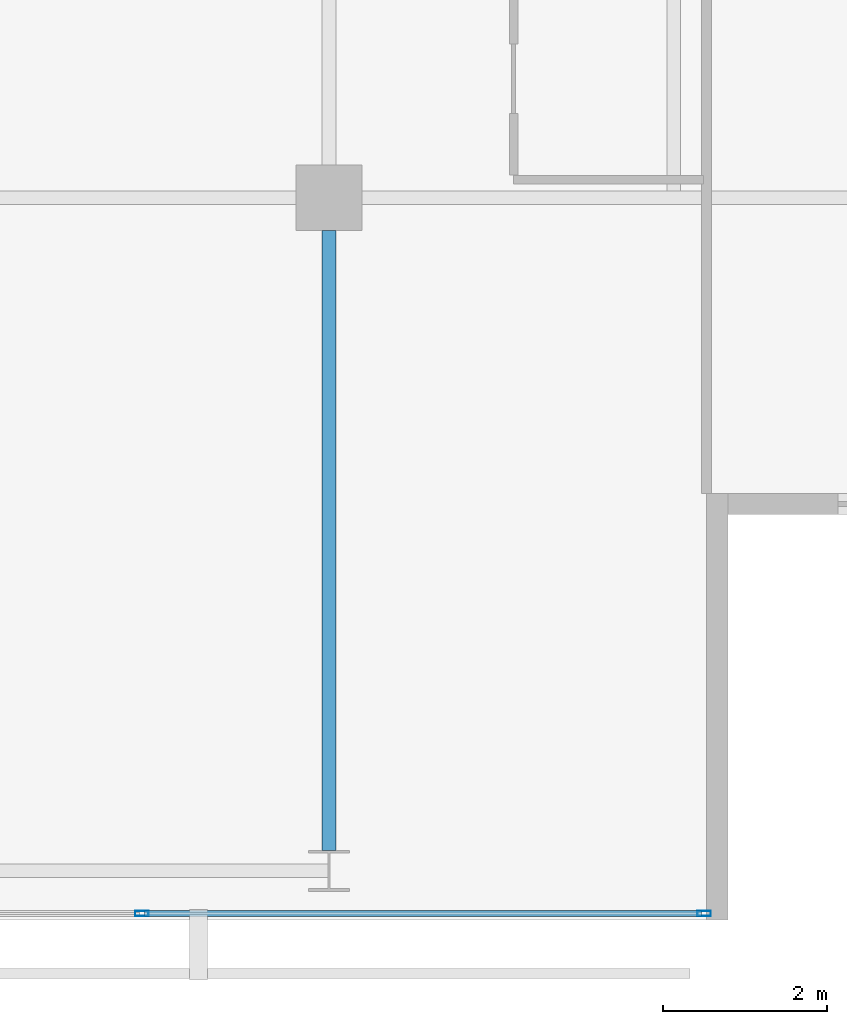
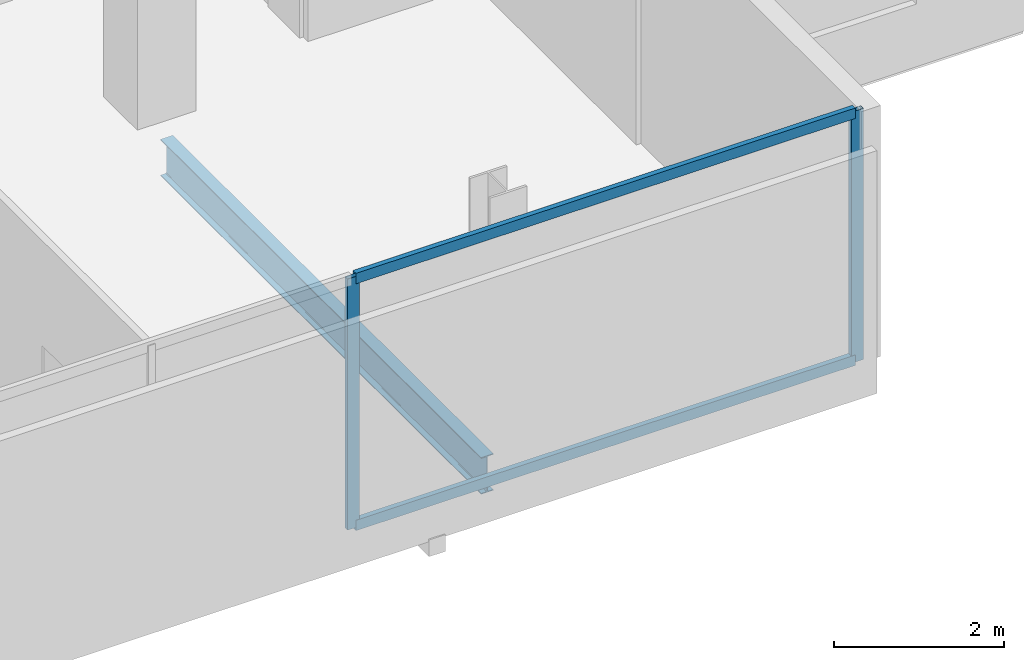
# One storey, part 10 of 25: 4 members, 1 beam, 1 element without a shape of its own.
"""IFC4 building model written with IfcOpenShell, lengths in metres."""

from ifc_helpers import new_model, si_unit, direction, frame, origin, origin_2d, place, context, subcontext, project, spatial, hollow_rectangle, i_section, extrude, material, layer, layer_set, material_profile, profile_set, type_object, element, aggregate, save


model = new_model("IFC4")

# Units and contexts
model_context = context("Model", 3, precision=1e-05, world=origin(), true_north=direction((0.0, 1.0)))
body_context = subcontext(model_context, "Body", "Model", "MODEL_VIEW")
ifc_project = project(units=[si_unit("LENGTHUNIT", "METRE"), si_unit("AREAUNIT", "SQUARE_METRE"), si_unit("VOLUMEUNIT", "CUBIC_METRE"), si_unit("PLANEANGLEUNIT", "RADIAN"), si_unit("MASSUNIT", "GRAM", prefix="KILO")], contexts=[model_context])

# Site, building, storey
site_placement = place(None, origin())
site = spatial("IfcSite", under=ifc_project, at=site_placement, CompositionType="ELEMENT")
building_placement = place(site_placement, origin())
building = spatial("IfcBuilding", under=site, at=building_placement, Name="Maruvema Waterfront Hotel and Observation Tower", CompositionType="ELEMENT")
storey_placement = place(building_placement, frame((0.0, 0.0, 277.89990234375)))
storey = spatial("IfcBuildingStorey", under=building, at=storey_placement, Name="L68", CompositionType="ELEMENT", Elevation=277.89990234375)

# Curtain wall, members
ifc_material_1 = material(Name="Anodised bronze aluminium and solar-control low-E IGU", Category="aluminium")
ifc_layer = layer(ifc_material_1, 0.159912109375, Name="Zone 3 Champagne Inner Thermal Curtain Wall System CW-04")
ifc_layer_set = layer_set([ifc_layer], Name="Anodised bronze aluminium and solar-control low-E IGU")
curtain_wall_type = type_object("IfcCurtainWallType", Name="Zone 3 Champagne Inner Thermal Curtain Wall System CW-04", PredefinedType="USERDEFINED", material=ifc_layer_set)
curtain_wall_placement = place(storey_placement, origin())
curtain_wall = element("IfcCurtainWall", 1, at=curtain_wall_placement, inside=storey, type_object=curtain_wall_type, Name="L68 Curtain Wall CW-L68-S", ObjectType="UNITISED CURTAIN WALL", PredefinedType="USERDEFINED")
ifc_material_2 = material(Name="Anodised architectural bronze aluminium", Category="aluminium")
ifc_material_profile_1 = material_profile(ifc_material_2, hollow_rectangle(XDim=0.070068359375, YDim=0.14990234375, WallThickness=0.00390625, at=origin_2d()), Name="ALU-T70x150")
ifc_profile_set_1 = profile_set([ifc_material_profile_1], Name="Anodised architectural bronze aluminium")
member_type_1 = type_object("IfcMemberType", Name="Curtain Wall Horizontal Transom ALU-T70x150", PredefinedType="USERDEFINED", material=ifc_profile_set_1)
member_1_placement = place(storey_placement, frame((48.14990234375, 9.280029296875, 0.030029296875), z_axis=(1.0, 0.0, 0.0), x_axis=(0.0, 1.0, 0.0)))
member_1 = element("IfcMember", 2, at=member_1_placement, type_object=member_type_1, Name="CW-04 transom 5.1", ObjectType="TRANSOM", PredefinedType="USERDEFINED", context=body_context, shape_type="SweptSolid", body=[
    extrude(hollow_rectangle(XDim=0.070068359375, YDim=0.14990234375, WallThickness=0.00390625, at=origin_2d()), origin(), (0.0, 0.0, 1.0), 6.7900390625),
])
member_2_placement = place(storey_placement, frame((48.14990234375, 9.280029296875, 3.580078125), z_axis=(1.0, 0.0, 0.0), x_axis=(0.0, 1.0, 0.0)))
member_2 = element("IfcMember", 3, at=member_2_placement, type_object=member_type_1, Name="CW-04 transom 5.2", ObjectType="TRANSOM", PredefinedType="USERDEFINED", context=body_context, shape_type="SweptSolid", body=[
    extrude(hollow_rectangle(XDim=0.070068359375, YDim=0.14990234375, WallThickness=0.00390625, at=origin_2d()), origin(), (0.0, 0.0, 1.0), 6.7900390625),
])
ifc_material_3 = material(Name="Anodised architectural bronze aluminium", Category="aluminium")
ifc_material_profile_2 = material_profile(ifc_material_3, hollow_rectangle(XDim=0.06494140625, YDim=0.1650390625, WallThickness=0.00390625, at=origin_2d()), Name="ALU-M65x165")
ifc_profile_set_2 = profile_set([ifc_material_profile_2], Name="Anodised architectural bronze aluminium")
member_type_2 = type_object("IfcMemberType", Name="Curtain Wall Primary Mullion ALU-M65x165", PredefinedType="MULLION", material=ifc_profile_set_2)
member_3_placement = place(storey_placement, frame((48.1201171875, 9.280029296875, 0.0), z_axis=(0.0, 0.0, 1.0), x_axis=(0.0, 1.0, 0.0)))
member_3 = element("IfcMember", 4, at=member_3_placement, type_object=member_type_2, Name="CW-04 mullion 5", PredefinedType="MULLION", context=body_context, shape_type="SweptSolid", body=[
    extrude(hollow_rectangle(XDim=0.06494140625, YDim=0.1650390625, WallThickness=0.00390625, at=origin_2d()), origin(), (0.0, 0.0, 1.0), 3.610107421875),
])
member_4_placement = place(storey_placement, frame((54.969970703125, 9.280029296875, 0.0), z_axis=(0.0, 0.0, 1.0), x_axis=(0.0, 1.0, 0.0)))
member_4 = element("IfcMember", 5, at=member_4_placement, type_object=member_type_2, Name="CW-04 mullion 6", PredefinedType="MULLION", context=body_context, shape_type="SweptSolid", body=[
    extrude(hollow_rectangle(XDim=0.06494140625, YDim=0.1650390625, WallThickness=0.00390625, at=origin_2d()), origin(), (0.0, 0.0, 1.0), 3.610107421875),
])
aggregate(curtain_wall, [member_3, member_4, member_1, member_2])

# Beam
ifc_material_4 = material(Name="Steel ASTM A572 Grade 50", Category="steel")
ifc_material_profile_3 = material_profile(ifc_material_4, i_section(OverallWidth=0.166015625, OverallDepth=0.529052734375, WebThickness=0.009765625, FlangeThickness=0.013671875, FilletRadius=0.014892578125, at=origin_2d()), Name="W530x74.0")
ifc_profile_set_3 = profile_set([ifc_material_profile_3], Name="Steel ASTM A572 Grade 50")
beam_type = type_object("IfcBeamType", Name="Primary Floor Girder W530x74.0", PredefinedType="BEAM", material=ifc_profile_set_3)
beam_placement = place(storey_placement, frame((50.39990234375, 10.050048828125, -0.50439453125), z_axis=(0.0, 1.0, 0.0), x_axis=(-1.0, 0.0, 0.0)))
element("IfcBeam", 6, at=beam_placement, inside=storey, type_object=beam_type, Name="L68 Floor Girder NS-12", PredefinedType="BEAM", context=body_context, shape_type="SweptSolid", body=[
    extrude(i_section(OverallWidth=0.166015625, OverallDepth=0.529052734375, WebThickness=0.009765625, FlangeThickness=0.013671875, FilletRadius=0.014892578125, at=origin_2d()), origin(), (0.0, 0.0, 1.0), 7.550048828125),
])

save(model, "model.ifc")
